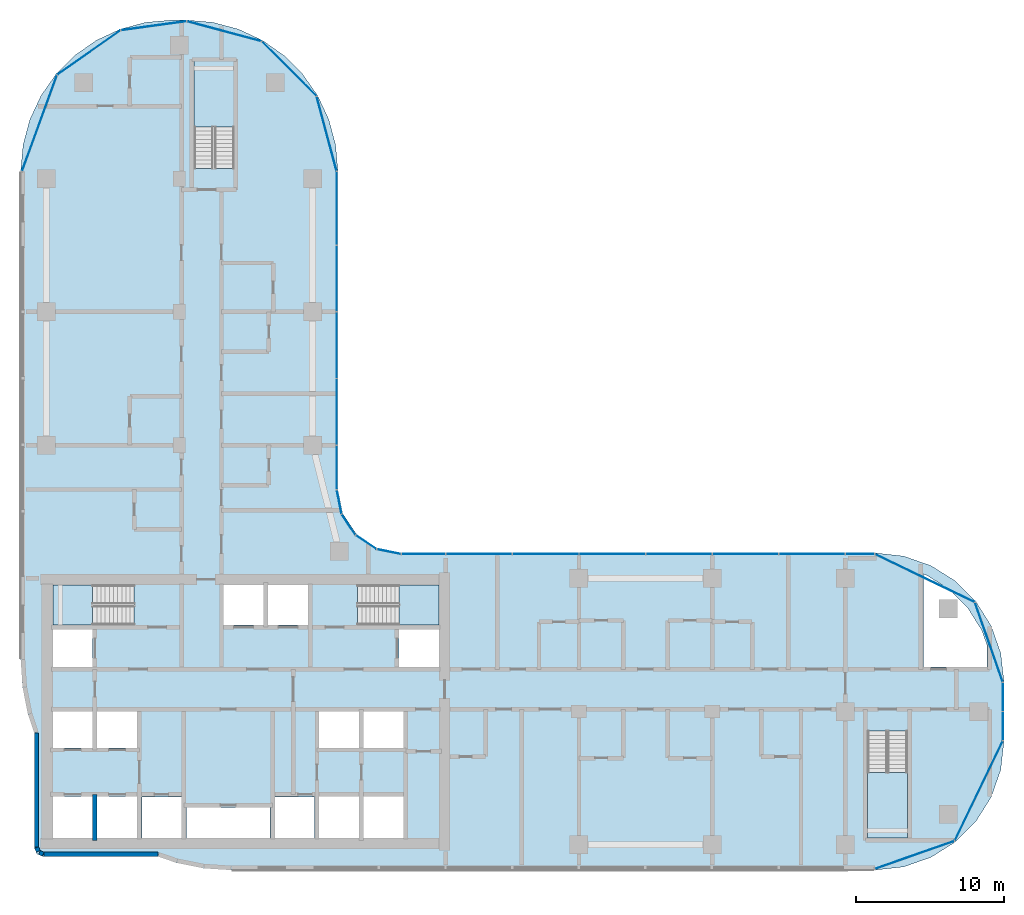
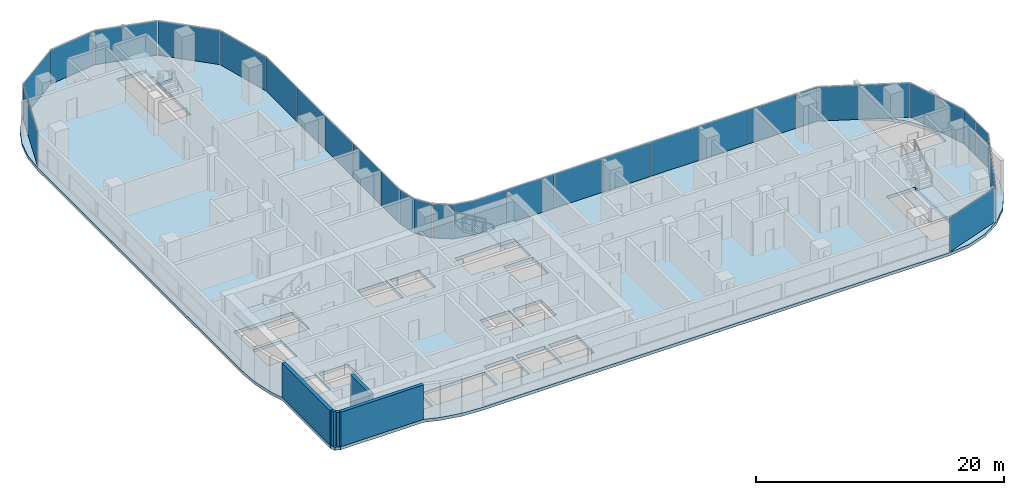
# One storey, part 8 of 22: 29 plates, 5 slabs, 5 walls, 11 elements without a shape of their own.
"""IFC4 building model written with IfcOpenShell, lengths in metres."""

from ifc_helpers import new_model, si_unit, direction, frame, frame_2d, origin, origin_2d, place, context, subcontext, project, spatial, polyline, rectangle, outline, extrude, material, layer, layer_set, type_object, element, aggregate, save


model = new_model("IFC4")

# Units and contexts
model_context = context("Model", 3, precision=1e-05, world=origin(), true_north=direction((0.0, 1.0)))
body_context = subcontext(model_context, "Body", "Model", "MODEL_VIEW")
ifc_project = project(units=[si_unit("LENGTHUNIT", "METRE"), si_unit("AREAUNIT", "SQUARE_METRE"), si_unit("VOLUMEUNIT", "CUBIC_METRE"), si_unit("PLANEANGLEUNIT", "RADIAN"), si_unit("MASSUNIT", "GRAM", prefix="KILO")], contexts=[model_context])

# Site, building, storey
site_placement = place(None, origin())
site = spatial("IfcSite", under=ifc_project, at=site_placement, CompositionType="ELEMENT")
building_placement = place(site_placement, origin())
building = spatial("IfcBuilding", under=site, at=building_placement, Name="Ogive Portal Towers", CompositionType="ELEMENT")
storey_placement = place(building_placement, frame((0.0, 0.0, 131.5)))
storey = spatial("IfcBuildingStorey", under=building, at=storey_placement, Name="L32", CompositionType="ELEMENT", Elevation=131.5)

# Curtain wall, plates
ifc_material_1 = material(Name="Glass, clear low-iron insulated glazing", Category="glass")
curtain_wall_type = type_object("IfcCurtainWallType", Name="CW FRONT RIBBON 4500", PredefinedType="NOTDEFINED", material=ifc_material_1)
curtain_wall_1_placement = place(storey_placement, origin())
curtain_wall_1 = element("IfcCurtainWall", 1, at=curtain_wall_1_placement, inside=storey, type_object=curtain_wall_type, Name="A:L32:f10:cw0", PredefinedType="NOTDEFINED")
ifc_layer_1 = layer(ifc_material_1, 0.028076171875)
ifc_layer_set_1 = layer_set([ifc_layer_1], Name="CW PANEL IGU 28")
plate_type = type_object("IfcPlateType", Name="CW PANEL IGU 28", PredefinedType="CURTAIN_PANEL", material=ifc_layer_set_1)
plate_1_placement = place(storey_placement, frame((96.135009765625, 29.509033203125, 0.0), z_axis=(0.0, 0.0, 1.0), x_axis=(0.0, 1.0, 0.0)))
plate_1 = element("IfcPlate", 2, at=plate_1_placement, type_object=plate_type, Name="panel", PredefinedType="CURTAIN_PANEL", context=body_context, shape_type="SweptSolid", body=[
    extrude(rectangle(XDim=1.921630859375, YDim=0.028076171875, at=origin_2d()), origin(), (0.0, 0.0, 1.0), 3.340087890625),
])
plate_2_placement = place(storey_placement, frame((96.135009765625, 31.4931640625, 0.0), z_axis=(0.0, 0.0, 1.0), x_axis=(0.0, 1.0, 0.0)))
plate_2 = element("IfcPlate", 3, at=plate_2_placement, type_object=plate_type, Name="panel", PredefinedType="CURTAIN_PANEL", context=body_context, shape_type="SweptSolid", body=[
    extrude(rectangle(XDim=1.926513671875, YDim=0.028076171875, at=origin_2d()), origin(), (0.0, 0.0, 1.0), 3.340087890625),
])
aggregate(curtain_wall_1, [plate_1, plate_2])

curtain_wall_2_placement = place(storey_placement, origin())
curtain_wall_2 = element("IfcCurtainWall", 4, at=curtain_wall_2_placement, inside=storey, type_object=curtain_wall_type, Name="A:L32:f13:cw0", PredefinedType="NOTDEFINED")
plate_3_placement = place(storey_placement, frame((86.490966796875, 41.135009765625, 0.0), z_axis=(0.0, 0.0, 1.0), x_axis=(-1.0, 0.0, 0.0)))
plate_3 = element("IfcPlate", 5, at=plate_3_placement, type_object=plate_type, Name="panel", PredefinedType="CURTAIN_PANEL", context=body_context, shape_type="SweptSolid", body=[
    extrude(rectangle(XDim=1.921630859375, YDim=0.028076171875, at=origin_2d()), origin(), (0.0, 0.0, 1.0), 3.340087890625),
])
plate_4_placement = place(storey_placement, frame((83.25, 41.135009765625, 0.0), z_axis=(0.0, 0.0, 1.0), x_axis=(-1.0, 0.0, 0.0)))
plate_4 = element("IfcPlate", 6, at=plate_4_placement, type_object=plate_type, Name="panel", PredefinedType="CURTAIN_PANEL", context=body_context, shape_type="SweptSolid", body=[
    extrude(rectangle(XDim=4.43994140625, YDim=0.028076171875, at=origin_2d()), origin(), (0.0, 0.0, 1.0), 3.340087890625),
])
plate_5_placement = place(storey_placement, frame((78.75, 41.135009765625, 0.0), z_axis=(0.0, 0.0, 1.0), x_axis=(-1.0, 0.0, 0.0)))
plate_5 = element("IfcPlate", 7, at=plate_5_placement, type_object=plate_type, Name="panel", PredefinedType="CURTAIN_PANEL", context=body_context, shape_type="SweptSolid", body=[
    extrude(rectangle(XDim=4.43994140625, YDim=0.028076171875, at=origin_2d()), origin(), (0.0, 0.0, 1.0), 3.340087890625),
])
plate_6_placement = place(storey_placement, frame((74.25, 41.135009765625, 0.0), z_axis=(0.0, 0.0, 1.0), x_axis=(-1.0, 0.0, 0.0)))
plate_6 = element("IfcPlate", 8, at=plate_6_placement, type_object=plate_type, Name="panel", PredefinedType="CURTAIN_PANEL", context=body_context, shape_type="SweptSolid", body=[
    extrude(rectangle(XDim=4.43994140625, YDim=0.028076171875, at=origin_2d()), origin(), (0.0, 0.0, 1.0), 3.340087890625),
])
plate_7_placement = place(storey_placement, frame((69.75, 41.135009765625, 0.0), z_axis=(0.0, 0.0, 1.0), x_axis=(-1.0, 0.0, 0.0)))
plate_7 = element("IfcPlate", 9, at=plate_7_placement, type_object=plate_type, Name="panel", PredefinedType="CURTAIN_PANEL", context=body_context, shape_type="SweptSolid", body=[
    extrude(rectangle(XDim=4.43994140625, YDim=0.028076171875, at=origin_2d()), origin(), (0.0, 0.0, 1.0), 3.340087890625),
])
plate_8_placement = place(storey_placement, frame((65.25, 41.135009765625, 0.0), z_axis=(0.0, 0.0, 1.0), x_axis=(-1.0, 0.0, 0.0)))
plate_8 = element("IfcPlate", 10, at=plate_8_placement, type_object=plate_type, Name="panel", PredefinedType="CURTAIN_PANEL", context=body_context, shape_type="SweptSolid", body=[
    extrude(rectangle(XDim=4.43994140625, YDim=0.028076171875, at=origin_2d()), origin(), (0.0, 0.0, 1.0), 3.340087890625),
])
plate_9_placement = place(storey_placement, frame((60.75, 41.135009765625, 0.0), z_axis=(0.0, 0.0, 1.0), x_axis=(-1.0, 0.0, 0.0)))
plate_9 = element("IfcPlate", 11, at=plate_9_placement, type_object=plate_type, Name="panel", PredefinedType="CURTAIN_PANEL", context=body_context, shape_type="SweptSolid", body=[
    extrude(rectangle(XDim=4.43994140625, YDim=0.028076171875, at=origin_2d()), origin(), (0.0, 0.0, 1.0), 3.340087890625),
])
plate_10_placement = place(storey_placement, frame((56.99609375, 41.135009765625, 0.0), z_axis=(0.0, 0.0, 1.0), x_axis=(-1.0, 0.0, 0.0)))
plate_10 = element("IfcPlate", 12, at=plate_10_placement, type_object=plate_type, Name="panel", PredefinedType="CURTAIN_PANEL", context=body_context, shape_type="SweptSolid", body=[
    extrude(rectangle(XDim=2.947998046875, YDim=0.028076171875, at=origin_2d()), origin(), (0.0, 0.0, 1.0), 3.340087890625),
])
aggregate(curtain_wall_2, [plate_3, plate_4, plate_5, plate_6, plate_7, plate_8, plate_9, plate_10])

curtain_wall_3_placement = place(storey_placement, origin())
curtain_wall_3 = element("IfcCurtainWall", 13, at=curtain_wall_3_placement, inside=storey, type_object=curtain_wall_type, Name="A:L32:f18:cw0", PredefinedType="NOTDEFINED")
plate_11_placement = place(storey_placement, frame((51.135009765625, 46.99609375, 0.0), z_axis=(0.0, 0.0, 1.0), x_axis=(0.0, 1.0, 0.0)))
plate_11 = element("IfcPlate", 14, at=plate_11_placement, type_object=plate_type, Name="panel", PredefinedType="CURTAIN_PANEL", context=body_context, shape_type="SweptSolid", body=[
    extrude(rectangle(XDim=2.947998046875, YDim=0.028076171875, at=origin_2d()), origin(), (0.0, 0.0, 1.0), 3.340087890625),
])
plate_12_placement = place(storey_placement, frame((51.135009765625, 50.75, 0.0), z_axis=(0.0, 0.0, 1.0), x_axis=(0.0, 1.0, 0.0)))
plate_12 = element("IfcPlate", 15, at=plate_12_placement, type_object=plate_type, Name="panel", PredefinedType="CURTAIN_PANEL", context=body_context, shape_type="SweptSolid", body=[
    extrude(rectangle(XDim=4.43994140625, YDim=0.028076171875, at=origin_2d()), origin(), (0.0, 0.0, 1.0), 3.340087890625),
])
plate_13_placement = place(storey_placement, frame((51.135009765625, 55.25, 0.0), z_axis=(0.0, 0.0, 1.0), x_axis=(0.0, 1.0, 0.0)))
plate_13 = element("IfcPlate", 16, at=plate_13_placement, type_object=plate_type, Name="panel", PredefinedType="CURTAIN_PANEL", context=body_context, shape_type="SweptSolid", body=[
    extrude(rectangle(XDim=4.43994140625, YDim=0.028076171875, at=origin_2d()), origin(), (0.0, 0.0, 1.0), 3.340087890625),
])
plate_14_placement = place(storey_placement, frame((51.135009765625, 59.75, 0.0), z_axis=(0.0, 0.0, 1.0), x_axis=(0.0, 1.0, 0.0)))
plate_14 = element("IfcPlate", 17, at=plate_14_placement, type_object=plate_type, Name="panel", PredefinedType="CURTAIN_PANEL", context=body_context, shape_type="SweptSolid", body=[
    extrude(rectangle(XDim=4.43994140625, YDim=0.028076171875, at=origin_2d()), origin(), (0.0, 0.0, 1.0), 3.340087890625),
])
plate_15_placement = place(storey_placement, frame((51.135009765625, 64.49462890625, 0.0), z_axis=(0.0, 0.0, 1.0), x_axis=(0.0, 1.0, 0.0)))
plate_15 = element("IfcPlate", 18, at=plate_15_placement, type_object=plate_type, Name="panel", PredefinedType="CURTAIN_PANEL", context=body_context, shape_type="SweptSolid", body=[
    extrude(rectangle(XDim=4.929443359375, YDim=0.028076171875, at=origin_2d()), origin(), (0.0, 0.0, 1.0), 3.340087890625),
])
aggregate(curtain_wall_3, [plate_11, plate_12, plate_13, plate_14, plate_15])

curtain_wall_4_placement = place(storey_placement, origin())
curtain_wall_4 = element("IfcCurtainWall", 19, at=curtain_wall_4_placement, inside=storey, type_object=curtain_wall_type, Name="A:L32:f08:cwa", PredefinedType="NOTDEFINED")
plate_16_placement = place(storey_placement, frame((90.18115234375, 20.807861328125, 0.0), z_axis=(0.0, 0.0, 1.0), x_axis=(0.943883330307, 0.33027906196, 0.0)))
plate_16 = element("IfcPlate", 20, at=plate_16_placement, type_object=plate_type, Name="panel", PredefinedType="CURTAIN_PANEL", context=body_context, shape_type="SweptSolid", body=[
    extrude(rectangle(XDim=5.650146484375, YDim=0.028076171875, at=origin_2d()), origin(), (0.0, 0.0, 1.0), 3.340087890625),
])
plate_17_placement = place(storey_placement, frame((94.505615234375, 25.134521484375, 0.0), z_axis=(0.0, 0.0, 1.0), x_axis=(0.433883739113, 0.900968867905, 0.0)))
plate_17 = element("IfcPlate", 21, at=plate_17_placement, type_object=plate_type, Name="panel", PredefinedType="CURTAIN_PANEL", context=body_context, shape_type="SweptSolid", body=[
    extrude(rectangle(XDim=7.451171875, YDim=0.028076171875, at=origin_2d()), origin(), (0.0, 0.0, 1.0), 3.340087890625),
])
aggregate(curtain_wall_4, [plate_16, plate_17])

curtain_wall_5_placement = place(storey_placement, origin())
curtain_wall_5 = element("IfcCurtainWall", 22, at=curtain_wall_5_placement, inside=storey, type_object=curtain_wall_type, Name="A:L32:f11:cwa", PredefinedType="NOTDEFINED")
plate_18_placement = place(storey_placement, frame((95.192138671875, 35.18115234375, 0.0), z_axis=(0.0, 0.0, 1.0), x_axis=(-0.33027906196, 0.943883330307, 0.0)))
plate_18 = element("IfcPlate", 23, at=plate_18_placement, type_object=plate_type, Name="panel", PredefinedType="CURTAIN_PANEL", context=body_context, shape_type="SweptSolid", body=[
    extrude(rectangle(XDim=5.650146484375, YDim=0.028076171875, at=origin_2d()), origin(), (0.0, 0.0, 1.0), 3.340087890625),
])
plate_19_placement = place(storey_placement, frame((90.865478515625, 39.505615234375, 0.0), z_axis=(0.0, 0.0, 1.0), x_axis=(-0.900968867905, 0.433883739113, 0.0)))
plate_19 = element("IfcPlate", 24, at=plate_19_placement, type_object=plate_type, Name="panel", PredefinedType="CURTAIN_PANEL", context=body_context, shape_type="SweptSolid", body=[
    extrude(rectangle(XDim=7.451171875, YDim=0.028076171875, at=origin_2d()), origin(), (0.0, 0.0, 1.0), 3.340087890625),
])
aggregate(curtain_wall_5, [plate_18, plate_19])

curtain_wall_6_placement = place(storey_placement, origin())
curtain_wall_6 = element("IfcCurtainWall", 25, at=curtain_wall_6_placement, inside=storey, type_object=curtain_wall_type, Name="A:L32:f14:cwa", PredefinedType="NOTDEFINED")
plate_20_placement = place(storey_placement, frame((54.66064453125, 41.30029296875, 0.0), z_axis=(0.0, 0.0, 1.0), x_axis=(-0.980785280403, 0.195090322016, 0.0)))
plate_20 = element("IfcPlate", 26, at=plate_20_placement, type_object=plate_type, Name="panel", PredefinedType="CURTAIN_PANEL", context=body_context, shape_type="SweptSolid", body=[
    extrude(rectangle(XDim=1.6357421875, YDim=0.028076171875, at=origin_2d()), origin(), (0.0, 0.0, 1.0), 3.340087890625),
])
plate_21_placement = place(storey_placement, frame((53.12060546875, 41.939208984375, 0.0), z_axis=(0.0, 0.0, 1.0), x_axis=(-0.831469612303, 0.55557023302, 0.0)))
plate_21 = element("IfcPlate", 27, at=plate_21_placement, type_object=plate_type, Name="panel", PredefinedType="CURTAIN_PANEL", context=body_context, shape_type="SweptSolid", body=[
    extrude(rectangle(XDim=1.643798828125, YDim=0.028076171875, at=origin_2d()), origin(), (0.0, 0.0, 1.0), 3.340087890625),
])
plate_22_placement = place(storey_placement, frame((51.939208984375, 43.12060546875, 0.0), z_axis=(0.0, 0.0, 1.0), x_axis=(-0.55557023302, 0.831469612303, 0.0)))
plate_22 = element("IfcPlate", 28, at=plate_22_placement, type_object=plate_type, Name="panel", PredefinedType="CURTAIN_PANEL", context=body_context, shape_type="SweptSolid", body=[
    extrude(rectangle(XDim=1.643798828125, YDim=0.028076171875, at=origin_2d()), origin(), (0.0, 0.0, 1.0), 3.340087890625),
])
plate_23_placement = place(storey_placement, frame((51.30029296875, 44.66064453125, 0.0), z_axis=(0.0, 0.0, 1.0), x_axis=(-0.195090322016, 0.980785280403, 0.0)))
plate_23 = element("IfcPlate", 29, at=plate_23_placement, type_object=plate_type, Name="panel", PredefinedType="CURTAIN_PANEL", context=body_context, shape_type="SweptSolid", body=[
    extrude(rectangle(XDim=1.6357421875, YDim=0.028076171875, at=origin_2d()), origin(), (0.0, 0.0, 1.0), 3.340087890625),
])
aggregate(curtain_wall_6, [plate_20, plate_21, plate_22, plate_23])

curtain_wall_7_placement = place(storey_placement, origin())
curtain_wall_7 = element("IfcCurtainWall", 30, at=curtain_wall_7_placement, inside=storey, type_object=curtain_wall_type, Name="A:L32:f19:cwa", PredefinedType="NOTDEFINED")
plate_24_placement = place(storey_placement, frame((50.454833984375, 69.52783203125, 0.0), z_axis=(0.0, 0.0, 1.0), x_axis=(-0.258819045103, 0.965925826289, 0.0)))
plate_24 = element("IfcPlate", 31, at=plate_24_placement, type_object=plate_type, Name="panel", PredefinedType="CURTAIN_PANEL", context=body_context, shape_type="SweptSolid", body=[
    extrude(rectangle(XDim=5.19580078125, YDim=0.028076171875, at=origin_2d()), origin(), (0.0, 0.0, 1.0), 3.340087890625),
])
plate_25_placement = place(storey_placement, frame((47.92041015625, 73.92041015625, 0.0), z_axis=(0.0, 0.0, 1.0), x_axis=(-0.707106781187, 0.707106781187, 0.0)))
plate_25 = element("IfcPlate", 32, at=plate_25_placement, type_object=plate_type, Name="panel", PredefinedType="CURTAIN_PANEL", context=body_context, shape_type="SweptSolid", body=[
    extrude(rectangle(XDim=5.184814453125, YDim=0.028076171875, at=origin_2d()), origin(), (0.0, 0.0, 1.0), 3.340087890625),
])
plate_26_placement = place(storey_placement, frame((43.530517578125, 76.4541015625, 0.0), z_axis=(0.0, 0.0, 1.0), x_axis=(-0.965925826289, 0.258819045103, 0.0)))
plate_26 = element("IfcPlate", 33, at=plate_26_placement, type_object=plate_type, Name="panel", PredefinedType="CURTAIN_PANEL", context=body_context, shape_type="SweptSolid", body=[
    extrude(rectangle(XDim=5.190185546875, YDim=0.028076171875, at=origin_2d()), origin(), (0.0, 0.0, 1.0), 3.340087890625),
])
plate_27_placement = place(storey_placement, frame((38.765625, 76.827880859375, 0.0), z_axis=(0.0, 0.0, 1.0), x_axis=(-0.990733764465, -0.135818290186, 0.0)))
plate_27 = element("IfcPlate", 34, at=plate_27_placement, type_object=plate_type, Name="panel", PredefinedType="CURTAIN_PANEL", context=body_context, shape_type="SweptSolid", body=[
    extrude(rectangle(XDim=4.440185546875, YDim=0.028076171875, at=origin_2d()), origin(), (0.0, 0.0, 1.0), 3.340087890625),
])
plate_28_placement = place(storey_placement, frame((34.388916015625, 75.0185546875, 0.0), z_axis=(0.0, 0.0, 1.0), x_axis=(-0.819152044289, -0.573576436351, 0.0)))
plate_28 = element("IfcPlate", 35, at=plate_28_placement, type_object=plate_type, Name="panel", PredefinedType="CURTAIN_PANEL", context=body_context, shape_type="SweptSolid", body=[
    extrude(rectangle(XDim=5.18310546875, YDim=0.028076171875, at=origin_2d()), origin(), (0.0, 0.0, 1.0), 3.340087890625),
])
plate_29_placement = place(storey_placement, frame((31.05322265625, 70.25048828125, 0.0), z_axis=(0.0, 0.0, 1.0), x_axis=(-0.342020143326, -0.939692620786, 0.0)))
plate_29 = element("IfcPlate", 36, at=plate_29_placement, type_object=plate_type, Name="panel", PredefinedType="CURTAIN_PANEL", context=body_context, shape_type="SweptSolid", body=[
    extrude(rectangle(XDim=6.88818359375, YDim=0.028076171875, at=origin_2d()), origin(), (0.0, 0.0, 1.0), 3.340087890625),
])
aggregate(curtain_wall_7, [plate_24, plate_25, plate_26, plate_27, plate_28, plate_29])

# Stair, slab
ifc_material_2 = material(Name="Concrete C40/50", Category="concrete")
stair_type = type_object("IfcStairType", Name="INT-STAIR", PredefinedType="HALF_TURN_STAIR", material=ifc_material_2)
stair_1_placement = place(storey_placement, origin())
stair_1 = element("IfcStair", 37, at=stair_1_placement, inside=storey, type_object=stair_type, Name="L32 Exit Stair ST-A1", PredefinedType="HALF_TURN_STAIR")
ifc_layer_2 = layer(ifc_material_2, 0.199951171875)
ifc_layer_set_2 = layer_set([ifc_layer_2], Name="INT-LANDING")
slab_type_1 = type_object("IfcSlabType", Name="INT-LANDING", PredefinedType="LANDING", material=ifc_layer_set_2)
slab_1_placement = place(storey_placement, frame((0.0, 0.0, 1.64990234375)))
slab_1 = element("IfcSlab", 38, at=slab_1_placement, type_object=slab_type_1, Name="ST-A1 landing 1", PredefinedType="LANDING", context=body_context, shape_type="SweptSolid", body=[
    extrude(outline(polyline([(34.64990234375, 39.050048828125), (31.949951171875, 39.050048828125), (31.949951171875, 36.35009765625), (34.64990234375, 36.35009765625), (34.64990234375, 39.050048828125)])), origin(), (0.0, 0.0, 1.0), 0.2001953125),
])
aggregate(stair_1, [slab_1])

stair_2_placement = place(storey_placement, origin())
stair_2 = element("IfcStair", 39, at=stair_2_placement, inside=storey, type_object=stair_type, Name="L32 Exit Stair ST-A2", PredefinedType="HALF_TURN_STAIR")
slab_2_placement = place(storey_placement, frame((0.0, 0.0, 1.64990234375)))
slab_2 = element("IfcSlab", 40, at=slab_2_placement, type_object=slab_type_1, Name="ST-A2 landing 1", PredefinedType="LANDING", context=body_context, shape_type="SweptSolid", body=[
    extrude(outline(polyline([(55.35009765625, 36.35009765625), (58.050048828125, 36.35009765625), (58.050048828125, 39.050048828125), (55.35009765625, 39.050048828125), (55.35009765625, 36.35009765625)])), origin(), (0.0, 0.0, 1.0), 0.2001953125),
])
aggregate(stair_2, [slab_2])

stair_3_placement = place(storey_placement, origin())
stair_3 = element("IfcStair", 41, at=stair_3_placement, inside=storey, type_object=stair_type, Name="L32 Exit Stair ST-A3", PredefinedType="HALF_TURN_STAIR")
slab_3_placement = place(storey_placement, frame((0.0, 0.0, 1.64990234375)))
slab_3 = element("IfcSlab", 42, at=slab_3_placement, type_object=slab_type_1, Name="ST-A3 landing 1", PredefinedType="LANDING", context=body_context, shape_type="SweptSolid", body=[
    extrude(outline(polyline([(44.199951171875, 70.0), (44.199951171875, 74.449951171875), (41.5, 74.449951171875), (41.5, 70.0), (44.199951171875, 70.0)])), origin(), (0.0, 0.0, 1.0), 0.2001953125),
])
aggregate(stair_3, [slab_3])

stair_4_placement = place(storey_placement, origin())
stair_4 = element("IfcStair", 43, at=stair_4_placement, inside=storey, type_object=stair_type, Name="L32 Exit Stair ST-A4", PredefinedType="HALF_TURN_STAIR")
slab_4_placement = place(storey_placement, frame((0.0, 0.0, 1.64990234375)))
slab_4 = element("IfcSlab", 44, at=slab_4_placement, type_object=slab_type_1, Name="ST-A4 landing 1", PredefinedType="LANDING", context=body_context, shape_type="SweptSolid", body=[
    extrude(outline(polyline([(87.0, 26.3701171875), (87.0, 21.949951171875), (89.699951171875, 21.949951171875), (89.699951171875, 26.3701171875), (87.0, 26.3701171875)])), origin(), (0.0, 0.0, 1.0), 0.2001953125),
])
aggregate(stair_4, [slab_4])

# Slab
ifc_material_3 = material(Name="Concrete C45/55", Category="concrete")
ifc_layer_3 = layer(ifc_material_3, 0.300048828125)
ifc_layer_set_3 = layer_set([ifc_layer_3], Name="PT FLAT PLATE 300")
slab_type_2 = type_object("IfcSlabType", Name="PT FLAT PLATE 300", PredefinedType="FLOOR", material=ifc_layer_set_3)
slab_5_placement = place(storey_placement, frame((0.0, 0.0, -0.300048828125)))
element("IfcSlab", 45, at=slab_5_placement, inside=storey, type_object=slab_type_2, Name="Floor slab L32", PredefinedType="FLOOR", context=body_context, shape_type="SweptSolid", body=[
    extrude(outline(polyline([(29.906494140625, 32.14453125), (30.269287109375, 30.32080078125), (30.699951171875, 29.05224609375), (30.699951171875, 21.300048828125), (30.875732421875, 20.875732421875), (31.300048828125, 20.699951171875), (39.05224609375, 20.699951171875), (40.32080078125, 20.269287109375), (42.14453125, 19.906494140625), (44.0, 19.784912109375), (87.5, 19.784912109375), (89.439208984375, 20.00341796875), (91.28125, 20.648193359375), (92.93359375, 21.686279296875), (94.313720703125, 23.06640625), (95.351806640625, 24.71875), (95.99658203125, 26.560791015625), (96.215087890625, 28.5), (96.215087890625, 32.5), (95.99658203125, 34.439208984375), (95.351806640625, 36.28125), (94.313720703125, 37.93359375), (92.93359375, 39.313720703125), (91.28125, 40.351806640625), (89.439208984375, 40.99658203125), (87.5, 41.215087890625), (55.5, 41.215087890625), (53.860107421875, 41.541259765625), (52.469970703125, 42.469970703125), (51.541259765625, 43.860107421875), (51.215087890625, 45.5), (51.215087890625, 67.0), (51.059814453125, 68.773681640625), (50.59912109375, 70.49365234375), (49.846435546875, 72.107421875), (48.8251953125, 73.566162109375), (47.566162109375, 74.8251953125), (46.107421875, 75.846435546875), (44.49365234375, 76.59912109375), (42.773681640625, 77.059814453125), (41.0, 77.215087890625), (40.0, 77.215087890625), (38.226318359375, 77.059814453125), (36.50634765625, 76.59912109375), (34.892578125, 75.846435546875), (33.433837890625, 74.8251953125), (32.1748046875, 73.566162109375), (31.153564453125, 72.107421875), (30.40087890625, 70.49365234375), (29.940185546875, 68.773681640625), (29.784912109375, 67.0), (29.784912109375, 34.0), (29.906494140625, 32.14453125)]), holes=[polyline([(46.6298828125, 21.969970703125), (40.969970703125, 21.969970703125), (40.969970703125, 24.0029296875), (46.6298828125, 24.0029296875), (46.6298828125, 21.969970703125)]), polyline([(34.64990234375, 24.75), (34.64990234375, 21.949951171875), (31.949951171875, 21.949951171875), (31.949951171875, 24.75), (34.64990234375, 24.75)]), polyline([(37.64990234375, 24.75), (37.64990234375, 21.949951171875), (34.949951171875, 21.949951171875), (34.949951171875, 24.75), (37.64990234375, 24.75)]), polyline([(37.969970703125, 21.969970703125), (37.969970703125, 24.72998046875), (40.6298828125, 24.72998046875), (40.6298828125, 21.969970703125), (37.969970703125, 21.969970703125)]), polyline([(34.64990234375, 28.050048828125), (31.949951171875, 28.050048828125), (31.949951171875, 30.5), (34.64990234375, 30.5), (34.64990234375, 28.050048828125)]), polyline([(37.64990234375, 30.5), (37.64990234375, 28.050048828125), (34.949951171875, 28.050048828125), (34.949951171875, 30.5), (37.64990234375, 30.5)]), polyline([(34.64990234375, 36.050048828125), (34.64990234375, 33.5), (31.949951171875, 33.5), (31.949951171875, 36.050048828125), (34.64990234375, 36.050048828125)]), polyline([(31.951904296875, 39.048095703125), (37.447998046875, 39.048095703125), (37.447998046875, 36.35205078125), (31.951904296875, 36.35205078125), (31.951904296875, 39.048095703125)]), polyline([(46.199951171875, 36.35009765625), (43.5, 36.35009765625), (43.5, 39.050048828125), (46.199951171875, 39.050048828125), (46.199951171875, 36.35009765625)]), polyline([(44.197998046875, 67.201904296875), (41.501953125, 67.201904296875), (41.501953125, 74.447998046875), (44.197998046875, 74.447998046875), (44.197998046875, 67.201904296875)]), polyline([(49.6298828125, 21.969970703125), (46.969970703125, 21.969970703125), (46.969970703125, 24.72998046875), (49.6298828125, 24.72998046875), (49.6298828125, 21.969970703125)]), polyline([(52.64990234375, 24.75), (52.64990234375, 21.949951171875), (49.949951171875, 21.949951171875), (49.949951171875, 24.75), (52.64990234375, 24.75)]), polyline([(55.64990234375, 24.75), (55.64990234375, 21.949951171875), (52.949951171875, 21.949951171875), (52.949951171875, 24.75), (55.64990234375, 24.75)]), polyline([(87.001953125, 29.16796875), (89.697998046875, 29.16796875), (89.697998046875, 21.951904296875), (87.001953125, 21.951904296875), (87.001953125, 29.16796875)]), polyline([(52.64990234375, 28.050048828125), (49.949951171875, 28.050048828125), (49.949951171875, 30.5), (52.64990234375, 30.5), (52.64990234375, 28.050048828125)]), polyline([(55.64990234375, 30.5), (55.64990234375, 28.050048828125), (52.949951171875, 28.050048828125), (52.949951171875, 30.5), (55.64990234375, 30.5)]), polyline([(58.050048828125, 36.050048828125), (58.050048828125, 33.5), (55.35009765625, 33.5), (55.35009765625, 36.050048828125), (58.050048828125, 36.050048828125)]), polyline([(93.762939453125, 37.494384765625), (94.71728515625, 35.9755859375), (95.080078125, 34.93896484375), (95.080078125, 33.52001953125), (90.77001953125, 33.52001953125), (90.77001953125, 39.789306640625), (90.9755859375, 39.71728515625), (92.494384765625, 38.762939453125), (93.762939453125, 37.494384765625)]), polyline([(49.199951171875, 36.35009765625), (46.5, 36.35009765625), (46.5, 39.050048828125), (49.199951171875, 39.050048828125), (49.199951171875, 36.35009765625)]), polyline([(52.552001953125, 36.35205078125), (52.552001953125, 39.048095703125), (58.048095703125, 39.048095703125), (58.048095703125, 36.35205078125), (52.552001953125, 36.35205078125)])]), origin(), (0.0, 0.0, 1.0), 0.300048828125),
])

# Walls
ifc_material_4 = material(Name="Limestone cladding on lightweight block wall", Category="masonry")
ifc_layer_4 = layer(ifc_material_4, 0.300048828125)
ifc_layer_set_4 = layer_set([ifc_layer_4], Name="EXTERNAL WALL 300 STONE")
wall_type_1 = type_object("IfcWallType", Name="EXTERNAL WALL 300 STONE", PredefinedType="SOLIDWALL", material=ifc_layer_set_4)
wall_1_placement = place(storey_placement, frame((30.85009765625, 29.05224609375, 0.0), z_axis=(0.0, 0.0, 1.0), x_axis=(0.0, -1.0, 0.0)))
element("IfcWall", 46, at=wall_1_placement, inside=storey, type_object=wall_type_1, Name="A:L32:f00:r0:wall", PredefinedType="SOLIDWALL", context=body_context, shape_type="SweptSolid", body=[
    extrude(rectangle(XDim=7.692626953125, YDim=0.300048828125, at=frame_2d((3.84619140625, 0.0))), origin(), (0.0, 0.0, 1.0), 3.39990234375),
])
for number, where, z_axis, x_axis, name in (
    (47, (30.861328125, 21.30224609375, 0.0), (0.0, 0.0, 1.0), (0.38297812142, -0.923757413239, 0.0), "A:L32:f01:r0:wall"),
    (48, (31.0478515625, 20.966796875, 0.0), (0.0, 0.0, 1.0), (0.923757413239, -0.38297812142, 0.0), "A:L32:f02:r0:wall"),
):
    element("IfcWall", number, at=place(storey_placement, frame(where, z_axis=z_axis, x_axis=x_axis)), inside=storey, type_object=wall_type_1, Name=name, PredefinedType="SOLIDWALL", context=body_context, shape_type="SweptSolid", body=[
        extrude(rectangle(XDim=0.275390625, YDim=0.300048828125, at=frame_2d((0.1376953125, 0.0))), origin(), (0.0, 0.0, 1.0), 3.39990234375),
    ])
wall_2_placement = place(storey_placement, frame((31.359619140625, 20.85009765625, 0.0), z_axis=(0.0, 0.0, 1.0), x_axis=(1.0, 0.0, 0.0)))
element("IfcWall", 49, at=wall_2_placement, inside=storey, type_object=wall_type_1, Name="A:L32:f03:r0:wall", PredefinedType="SOLIDWALL", context=body_context, shape_type="SweptSolid", body=[
    extrude(rectangle(XDim=7.692626953125, YDim=0.300048828125, at=frame_2d((3.84619140625, 0.0))), origin(), (0.0, 0.0, 1.0), 3.39990234375),
])
ifc_layer_5 = layer(ifc_material_2, 0.300048828125)
ifc_layer_set_5 = layer_set([ifc_layer_5], Name="WT-SHAFT-300")
wall_type_2 = type_object("IfcWallType", Name="WT-SHAFT-300", PredefinedType="SOLIDWALL", material=ifc_layer_set_5)
wall_3_placement = place(storey_placement, frame((34.800048828125, 21.800048828125, 0.0), z_axis=(0.0, 0.0, 1.0), x_axis=(0.0, 1.0, 0.0)))
element("IfcWall", 50, at=wall_3_placement, inside=storey, type_object=wall_type_2, Name="Wall pw:008:L32", PredefinedType="SOLIDWALL", context=body_context, shape_type="SweptSolid", body=[
    extrude(rectangle(XDim=3.099853515625, YDim=0.300048828125, at=frame_2d((1.5498046875, 0.0))), origin(), (0.0, 0.0, 1.0), 3.39990234375),
])

save(model, "model.ifc")
